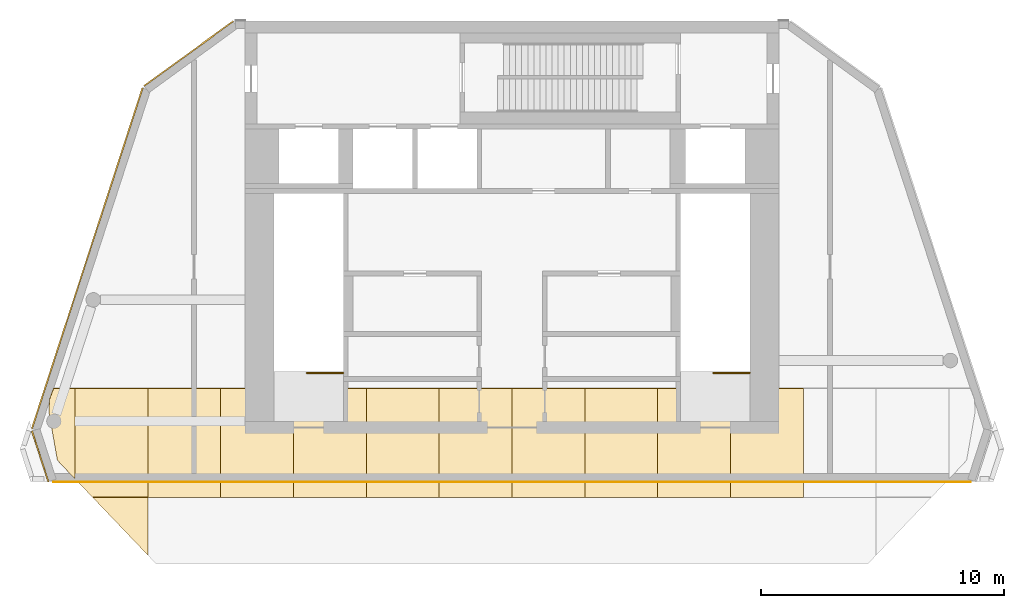
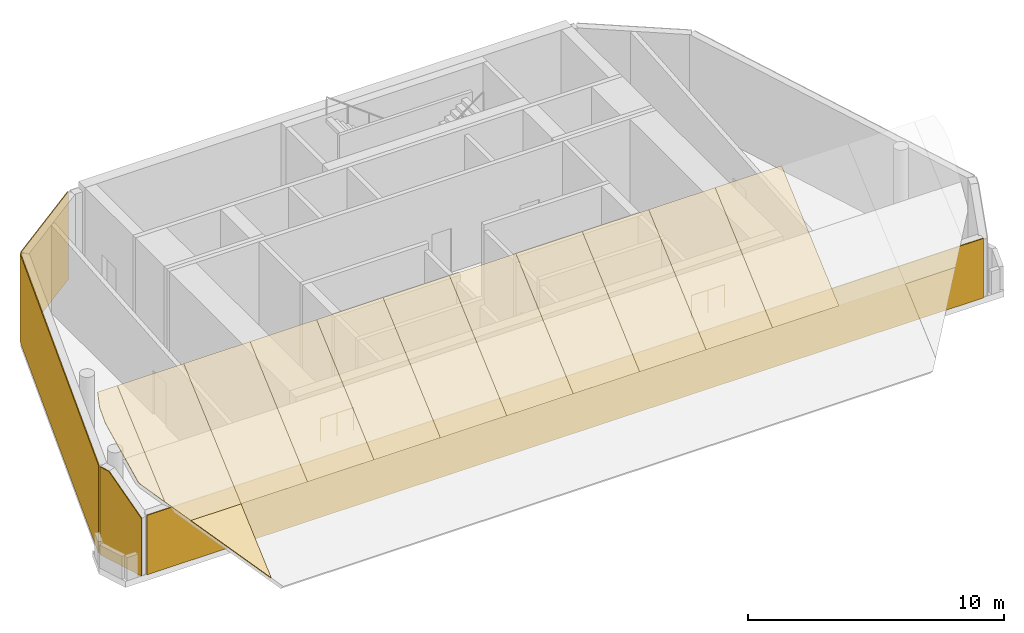
# One storey, part 4 of 5: 16 coverings, 2 railings.
"""IFC4 building model written with IfcOpenShell, lengths in metres."""

from ifc_helpers import new_model, si_unit, direction, frame, origin, origin_2d, place, context, subcontext, project, spatial, polyline, circle, outline, extrude, material, layer, layer_set, type_object, element, save


model = new_model("IFC4")

# Units and contexts
model_context = context("Model", 3, precision=1e-05, world=origin(), true_north=direction((0.0, 1.0)))
body_context = subcontext(model_context, "Body", "Model", "MODEL_VIEW")
ifc_project = project(units=[si_unit("LENGTHUNIT", "METRE"), si_unit("AREAUNIT", "SQUARE_METRE"), si_unit("VOLUMEUNIT", "CUBIC_METRE"), si_unit("PLANEANGLEUNIT", "RADIAN"), si_unit("MASSUNIT", "GRAM", prefix="KILO")], contexts=[model_context])

# Site, building, storey
site_placement = place(None, origin())
site = spatial("IfcSite", under=ifc_project, at=site_placement, CompositionType="ELEMENT")
building_placement = place(site_placement, origin())
building = spatial("IfcBuilding", under=site, at=building_placement, Name="White Candle Pilgrim Tower", CompositionType="ELEMENT")
storey_placement = place(building_placement, frame((0.0, 0.0, 342.199951171875)))
storey = spatial("IfcBuildingStorey", under=building, at=storey_placement, Name="L80", CompositionType="ELEMENT", Elevation=342.199951171875)

# Coverings
ifc_material_1 = material(Name="Zinc standing seam")
ifc_layer_1 = layer(ifc_material_1, 0.050048828125)
ifc_layer_set_1 = layer_set([ifc_layer_1], Name="Roof covering CL2 zinc standing seam 50")
covering_type_1 = type_object("IfcCoveringType", Name="Roof covering CL2 zinc standing seam 50", PredefinedType="ROOFING", material=ifc_layer_set_1)
covering_1_placement = place(storey_placement, frame((55.0, 68.360107421875, 2.41015625), z_axis=(-1.120385e-06, -0.662948290463, 0.748665188299), x_axis=(1e-12, -0.7486651883, -0.662948290463)))
element("IfcCovering", 1, at=covering_1_placement, inside=storey, type_object=covering_type_1, Name="Roof covering 21", PredefinedType="ROOFING", context=body_context, shape_type="SweptSolid", body=[
    extrude(outline(polyline([(0.0, 0.0), (3.170027631779597, 4.235164736271502e-22), (2.6158969354734767, -0.39599609364204047), (1.9481255594360132, -0.8732910156223032), (1.2803541833985497, -1.350585937602566), (0.6124209547511097, -1.827880859378045), (-2.0313150711550164e-12, -2.265624999998578), (0.0, 0.0)])), origin(), (0.0, 0.0, -1.0), 0.050048828125),
])
covering_2_placement = place(storey_placement, frame((52.0, 72.852294921875, 6.3876953125), z_axis=(-0.000105240335, -0.66293192844, 0.74867966927), x_axis=(1.943e-09, -0.748679673416, -0.662931932111)))
element("IfcCovering", 2, at=covering_2_placement, inside=storey, type_object=covering_type_1, Name="Roof covering 33", PredefinedType="ROOFING", context=body_context, shape_type="SweptSolid", body=[
    extrude(outline(polyline([(0.0, 0.0), (4.972539865062604, 5.421010862427522e-20), (4.608992097747915, -0.2597656285658128), (3.941220718886182, -0.7299804768506498), (3.2734493407669234, -0.8181152491263561), (2.6055161140319014, -0.906005861541943), (1.9377447359126427, -0.9941406338176492), (1.2698115091776203, -1.082031246233236), (0.6020401312837134, -1.0541992222761387), (-1.7231091369571437e-09, -0.8867187450895608), (0.0, 0.0)])), origin(), (0.0, 0.0, -1.0), 0.050048828125),
])
covering_3_placement = place(storey_placement, frame((52.0, 72.852294921875, 6.3876953125), z_axis=(-1.569362e-06, -0.662918740743, 0.748691353742), x_axis=(0.999999999999, -1.040359e-06, 1.174968e-06)))
element("IfcCovering", 3, at=covering_3_placement, inside=storey, type_object=covering_type_1, Name="Roof covering 34", PredefinedType="ROOFING", context=body_context, shape_type="SweptSolid", body=[
    extrude(outline(polyline([(0.0, 0.0), (2.9999999999963056, 3.1763735522036263e-22), (3.0000000000059974, -6.0000471272175435), (0.7343750000087871, -6.0000471272175435), (0.694824218608458, -5.944696702108166), (0.21752929691356243, -5.2767634774557095), (6.597513572277321e-12, -4.972539865908518), (0.0, 0.0)])), origin(), (0.0, 0.0, -1.0), 0.050048828125),
])
for number, where, z_axis, x_axis, name in (
    (4, (55.0, 68.360107421875, 2.41015625), (0.0, -0.66291797017, 0.748692036038), (0.0, 0.748692036038, 0.66291797017), "Roof covering 35"),
    (5, (58.0, 68.360107421875, 2.41015625), (0.0, -0.66291797017, 0.748692036038), (0.0, 0.748692036038, 0.66291797017), "Roof covering 36"),
    (6, (61.0, 68.360107421875, 2.41015625), (0.0, -0.66291797017, 0.748692036038), (0.0, 0.748692036038, 0.66291797017), "Roof covering 37"),
    (7, (64.0, 68.360107421875, 2.41015625), (0.0, -0.66291797017, 0.748692036038), (0.0, 0.748692036038, 0.66291797017), "Roof covering 38"),
    (8, (67.0, 68.360107421875, 2.41015625), (0.0, -0.66291797017, 0.748692036038), (0.0, 0.748692036038, 0.66291797017), "Roof covering 39"),
    (9, (70.0, 68.360107421875, 2.41015625), (0.0, -0.66291797017, 0.748692036038), (0.0, 0.748692036038, 0.66291797017), "Roof covering 40"),
    (10, (73.0, 68.360107421875, 2.41015625), (0.0, -0.66291797017, 0.748692036038), (0.0, 0.748692036038, 0.66291797017), "Roof covering 41"),
    (11, (76.0, 68.360107421875, 2.41015625), (0.0, -0.66291797017, 0.748692036038), (0.0, 0.748692036038, 0.66291797017), "Roof covering 42"),
    (12, (79.0, 68.360107421875, 2.41015625), (0.0, -0.66291797017, 0.748692036038), (0.0, 0.748692036038, 0.66291797017), "Roof covering 43"),
):
    element("IfcCovering", number, at=place(storey_placement, frame(where, z_axis=z_axis, x_axis=x_axis)), inside=storey, type_object=covering_type_1, Name=name, PredefinedType="ROOFING", context=body_context, shape_type="SweptSolid", body=[
        extrude(outline(polyline([(0.0, 0.0), (6.000047127220721, 0.0), (6.000047127220721, -3.0), (0.0, -3.0), (0.0, 0.0)])), origin(), (0.0, 0.0, -1.0), 0.050048828125),
    ])

# Railings
ifc_material_2 = material(Name="Stainless steel", Category="steel")
railing_type = type_object("IfcRailingType", Name="Stair guard stainless steel 1100 mm", PredefinedType="GUARDRAIL", material=ifc_material_2)
for number, where, name in (
    (13, (63.050048828125, 73.5, 0.0), "L80 ST1 top well guard 1"),
    (14, (79.800048828125, 73.5, 0.0), "L80 ST2 top well guard 1"),
):
    element("IfcRailing", number, at=place(storey_placement, frame(where)), inside=storey, type_object=railing_type, Name=name, PredefinedType="GUARDRAIL", context=body_context, shape_type="SweptSolid", body=[
        extrude(circle(Radius=0.02392578125, at=origin_2d()), frame((0.0, 0.0, 1.076171875), z_axis=(-1.0, 0.0, 0.0), x_axis=(0.0, -1.0, 0.0)), (0.0, 0.0, 1.0), 1.5),
        extrude(circle(Radius=0.02099609375, at=origin_2d()), origin(), (0.0, 0.0, 1.0), 1.052001953125),
        extrude(circle(Radius=0.02099609375, at=origin_2d()), frame((-0.75, 0.0, 0.0)), (0.0, 0.0, 1.0), 1.052001953125),
        extrude(circle(Radius=0.02099609375, at=origin_2d()), frame((-1.5, 0.0, 0.0)), (0.0, 0.0, 1.0), 1.052001953125),
    ])

# Coverings
ifc_layer_2 = layer(ifc_material_1, 0.0400390625)
ifc_layer_set_2 = layer_set([ifc_layer_2], Name="Zinc wall cladding CL3 40")
covering_type_2 = type_object("IfcCoveringType", Name="Zinc wall cladding CL3 40", PredefinedType="CLADDING", material=ifc_layer_set_2)
covering_4_placement = place(storey_placement, frame((50.242919921875, 71.10791015625, 4.199951171875), z_axis=(0.951068838942, 0.308979066091, 1.7633531e-05), x_axis=(0.308979066139, -0.95106883909, 4.699e-09)))
element("IfcCovering", 15, at=covering_4_placement, inside=storey, type_object=covering_type_2, Name="Zinc wall cladding L80 W chamfer", PredefinedType="CLADDING", context=body_context, shape_type="SweptSolid", body=[
    extrude(outline(polyline([(0.0, 0.0), (0.4594555809076509, -4.235164736271502e-22), (2.1886437761862885, 1.4560546980115159), (2.188643763291835, 4.1999511819599205), (-1.973692299543678e-08, 4.199951171222031), (0.0, 0.0)])), origin(), (0.0, 0.0, -1.0), 0.0400390625),
])
covering_5_placement = place(storey_placement, frame((58.52099609375, 87.969482421875, 4.199951171875), z_axis=(0.587771023186, -0.809027332235, 0.0), x_axis=(-0.809027332235, -0.587771023186, 0.0)))
element("IfcCovering", 16, at=covering_5_placement, inside=storey, type_object=covering_type_2, Name="Zinc wall cladding L80 NW chamfer", PredefinedType="CLADDING", context=body_context, shape_type="SweptSolid", body=[
    extrude(outline(polyline([(0.0, 0.0), (4.529575992355221, 0.0), (4.529575992355221, 4.199951171874999), (0.0, 4.199951171874999), (0.0, 0.0)])), origin(), (0.0, 0.0, -1.0), 0.0400390625),
])
covering_6_placement = place(storey_placement, frame((54.79833984375, 85.22705078125, 4.199951171875), z_axis=(0.951058892958, -0.309009679663, 0.0), x_axis=(-0.309009679663, -0.951058892958, 0.0)))
element("IfcCovering", 17, at=covering_6_placement, inside=storey, type_object=covering_type_2, Name="Zinc wall cladding L80 WNW", PredefinedType="CLADDING", context=body_context, shape_type="SweptSolid", body=[
    extrude(outline(polyline([(0.0, 0.0), (14.741997489654826, 0.0), (14.741997489654826, 4.199951171875), (0.0, 4.199951171875), (0.0, 0.0)])), origin(), (0.0, 0.0, -1.0), 0.0400390625),
])
covering_7_placement = place(storey_placement, frame((51.10888671875, 69.0263671875, 2.841796875), z_axis=(0.0, 1.0, 0.0), x_axis=(1.0, 0.0, 0.0)))
element("IfcCovering", 18, at=covering_7_placement, inside=storey, type_object=covering_type_2, Name="Zinc wall cladding L80 S", PredefinedType="CLADDING", context=body_context, shape_type="SweptSolid", body=[
    extrude(outline(polyline([(0.0, 0.0), (37.7822265625, 0.0), (37.7822265625, 2.841796875), (0.0, 2.841796875), (0.0, 0.0)])), origin(), (0.0, 0.0, -1.0), 0.0400390625),
])

save(model, "model.ifc")
